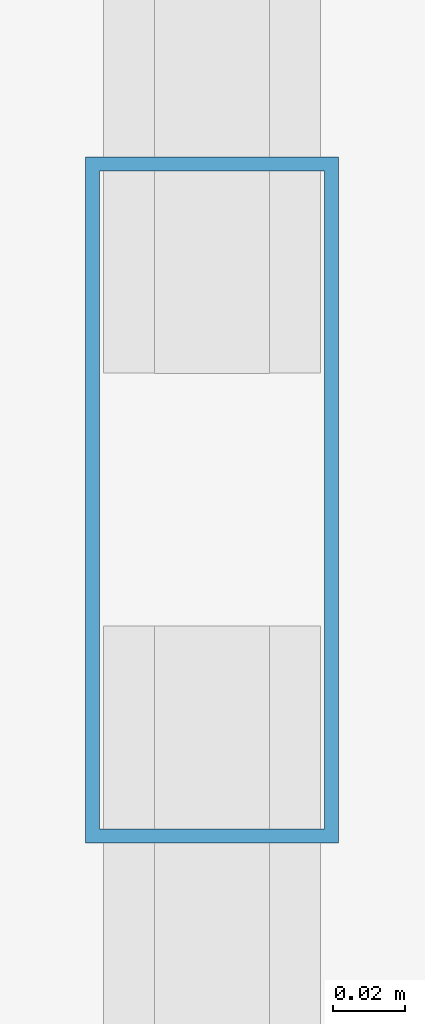
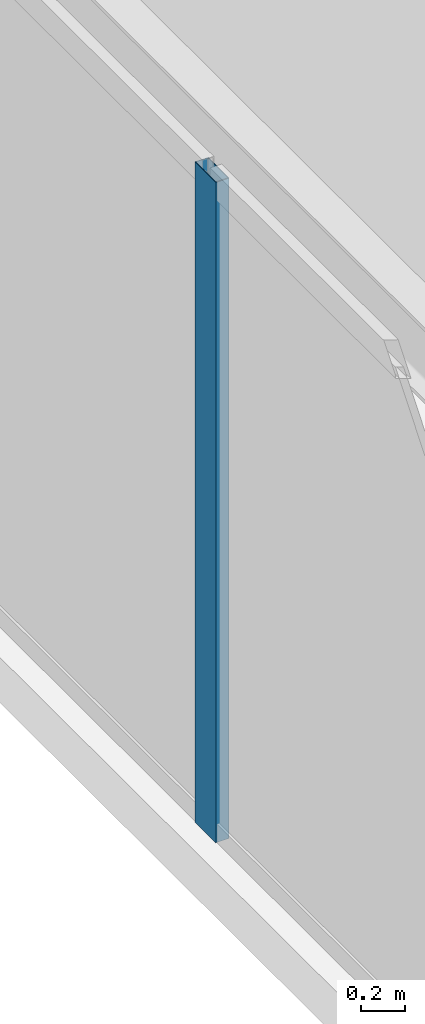
# One storey, part 10 of 32: 1 member, 1 element without a shape of its own.
"""IFC4 building model written with IfcOpenShell, lengths in metres."""

from ifc_helpers import new_model, si_unit, direction, frame, origin, origin_2d, place, context, subcontext, project, spatial, hollow_rectangle, extrude, source, transform, mapped, material, layer, layer_set, material_profile, profile_set, type_object, type_shapes, element, aggregate, save


model = new_model("IFC4")

# Units and contexts
model_context = context("Model", 3, precision=1e-05, world=origin(), true_north=direction((0.0, 1.0)))
body_context = subcontext(model_context, "Body", "Model", "MODEL_VIEW")
ifc_project = project(units=[si_unit("LENGTHUNIT", "METRE"), si_unit("AREAUNIT", "SQUARE_METRE"), si_unit("VOLUMEUNIT", "CUBIC_METRE"), si_unit("PLANEANGLEUNIT", "RADIAN"), si_unit("MASSUNIT", "GRAM", prefix="KILO")], contexts=[model_context])

# Site, building, storey
site_placement = place(None, origin())
site = spatial("IfcSite", under=ifc_project, at=site_placement, CompositionType="ELEMENT")
building_placement = place(site_placement, origin())
building = spatial("IfcBuilding", under=site, at=building_placement, Name="Varnel Quay Broadcast Tower", CompositionType="ELEMENT")
storey_placement = place(building_placement, frame((0.0, 0.0, 54.89990234375)))
storey = spatial("IfcBuildingStorey", under=building, at=storey_placement, Name="L12", CompositionType="ELEMENT", Elevation=54.89990234375)

# Curtain wall, member
ifc_material = material(Name="Anodised Bronze Aluminium 6063-T6", Category="aluminium")
ifc_layer = layer(ifc_material, 0.18994140625, Name="Anodised Bronze Aluminium 6063-T6")
ifc_layer_set = layer_set([ifc_layer], Name="Anodised Bronze Aluminium 6063-T6")
curtain_wall_type = type_object("IfcCurtainWallType", Name="CW_LowerTower", PredefinedType="NOTDEFINED", material=ifc_layer_set)
curtain_wall_placement = place(storey_placement, origin())
curtain_wall = element("IfcCurtainWall", 1, at=curtain_wall_placement, inside=storey, type_object=curtain_wall_type, Name="L12 West Unitised Curtain Wall", PredefinedType="NOTDEFINED")
ifc_material_profile = material_profile(ifc_material, hollow_rectangle(XDim=0.070068359375, YDim=0.18994140625, WallThickness=0.00390625, at=origin_2d()), Name="ALU70X190X4")
ifc_profile_set = profile_set([ifc_material_profile], Name="Anodised Bronze Aluminium 6063-T6")
member_type = type_object("IfcMemberType", Name="Mull_CWS-02", PredefinedType="MULLION", material=ifc_profile_set)
shared_shape = source(origin(), body_context, "Body", "SweptSolid", [
    extrude(hollow_rectangle(XDim=0.070068359375, YDim=0.18994140625, WallThickness=0.00390625, at=origin_2d()), origin(), (0.0, 0.0, 1.0), 3.650146484375),
])
type_shapes(member_type, [shared_shape])
member_placement = place(storey_placement, frame((2.14990234375, 30.39990234375, 0.0), z_axis=(0.0, 0.0, 1.0), x_axis=(-1.0, 0.0, 0.0)))
member = element("IfcMember", 2, at=member_placement, type_object=member_type, Name="CWS-02 mullion 3", PredefinedType="MULLION", context=body_context, shape_type="MappedRepresentation", body=[
    mapped(shared_shape, transform((0.0, 0.0, 0.0), x_axis=(1.0, 0.0, 0.0), y_axis=(0.0, 1.0, 0.0), z_axis=(0.0, 0.0, 1.0), scale=1.0)),
])
aggregate(curtain_wall, [member])

save(model, "model.ifc")
